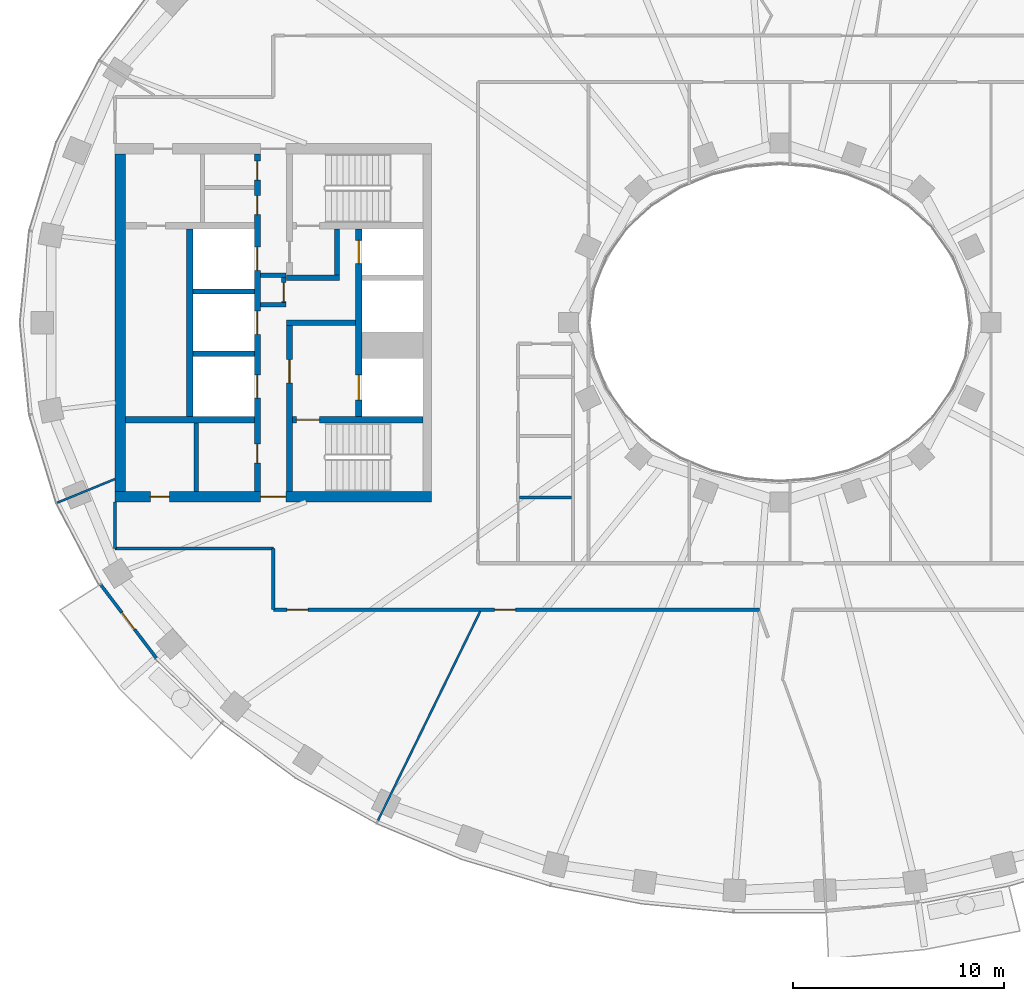
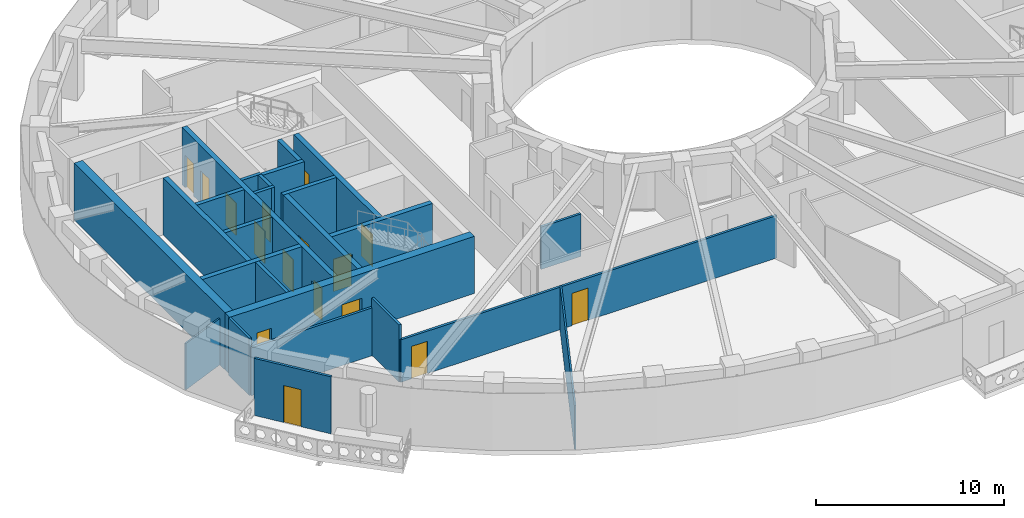
# One storey, part 3 of 16: 25 walls, 16 doors, 16 openings.
"""IFC4 building model written with IfcOpenShell, lengths in metres."""

from ifc_helpers import new_model, si_unit, direction, frame, frame_2d, origin, place, context, subcontext, project, spatial, rectangle, extrude, material, layer, layer_set, type_object, element, fill, save


model = new_model("IFC4")

# Units and contexts
model_context = context("Model", 3, precision=1e-05, world=origin(), true_north=direction((0.0, 1.0)))
body_context = subcontext(model_context, "Body", "Model", "MODEL_VIEW")
ifc_project = project(units=[si_unit("LENGTHUNIT", "METRE"), si_unit("AREAUNIT", "SQUARE_METRE"), si_unit("VOLUMEUNIT", "CUBIC_METRE"), si_unit("PLANEANGLEUNIT", "RADIAN"), si_unit("MASSUNIT", "GRAM", prefix="KILO")], contexts=[model_context])

# Site, building, storey
site_placement = place(None, origin())
site = spatial("IfcSite", under=ifc_project, at=site_placement, CompositionType="ELEMENT")
building_placement = place(site_placement, origin())
building = spatial("IfcBuilding", under=site, at=building_placement, Name="Noorbagh Ring Tower", CompositionType="ELEMENT")
storey_placement = place(building_placement, frame((0.0, 0.0, 281.5)))
storey = spatial("IfcBuildingStorey", under=building, at=storey_placement, Name="L60", CompositionType="ELEMENT", Elevation=281.5)

# Walls
ifc_material_1 = material(Name="Gypsum board on steel studs", Category="steel")
ifc_layer_1 = layer(ifc_material_1, 0.199951171875)
ifc_layer_set_1 = layer_set([ifc_layer_1], Name="Gypsum board on steel studs")
wall_type_1 = type_object("IfcWallType", Name="CORE-PARTITION-200", PredefinedType="PARTITIONING", material=ifc_layer_set_1)
for number, where, z_axis, x_axis, name in (
    (1, (-23.39990234375, 0.85009765625, 0.0), (0.0, 0.0, 1.0), (-1.0, 0.0, 0.0), "Core partition W"),
    (2, (-23.39990234375, 2.25, 0.0), (0.0, 0.0, 1.0), (-1.0, 0.0, 0.0), "Core partition W"),
):
    element("IfcWall", number, at=place(storey_placement, frame(where, z_axis=z_axis, x_axis=x_axis)), inside=storey, type_object=wall_type_1, Name=name, PredefinedType="PARTITIONING", context=body_context, shape_type="SweptSolid", body=[
        extrude(rectangle(XDim=1.2001953125, YDim=0.199951171875, at=frame_2d((0.60009765625, 0.0))), origin(), (0.0, 0.0, 1.0), 3.699951171875),
    ])

# Wall, opening, door
wall_1_placement = place(storey_placement, frame((-23.5, 0.75, 0.0), z_axis=(0.0, 0.0, 1.0), x_axis=(0.0, 1.0, 0.0)))
wall_1 = element("IfcWall", 3, at=wall_1_placement, inside=storey, type_object=wall_type_1, Name="Core partition W", PredefinedType="PARTITIONING", context=body_context, shape_type="SweptSolid", body=[
    extrude(rectangle(XDim=1.60009765625, YDim=0.199951171875, at=frame_2d((0.800048828125, 0.0))), origin(), (0.0, 0.0, 1.0), 3.699951171875),
])
opening_1_placement = place(wall_1_placement, frame((0.25, 0.0, 0.0)))
opening_1 = element("IfcOpeningElement", 4, at=opening_1_placement, cuts=wall_1, Name="Opening L60-CW17", PredefinedType="OPENING", context=body_context, shape_type="SweptSolid", body=[
    extrude(rectangle(XDim=0.89990234375, YDim=2.10009765625, at=frame_2d((0.449951171875, 1.050048828125))), frame((0.0, 0.10986328125, 0.0), z_axis=(0.0, -1.0, 0.0), x_axis=(1.0, 0.0, 0.0)), (0.0, 0.0, 1.0), 0.219970703125),
])
ifc_material_2 = material(Name="Steel door leaf", Category="steel")
door_type_1 = type_object("IfcDoorType", Name="CORE-DOOR-DROOM", OperationType="SINGLE_SWING_LEFT", PredefinedType="DOOR", material=ifc_material_2)
door_1_placement = place(opening_1_placement, origin())
door_1 = element("IfcDoor", 5, at=door_1_placement, inside=storey, type_object=door_type_1, Name="Core room door L60-CW17", OperationType="SINGLE_SWING_RIGHT", OverallHeight=2.10009765625, OverallWidth=0.89990234375, PredefinedType="DOOR", context=body_context, shape_type="SweptSolid", body=[
    extrude(rectangle(XDim=0.89990234375, YDim=2.10009765625, at=frame_2d((0.449951171875, 1.050048828125))), frame((0.0, 0.02490234375, 0.0), z_axis=(0.0, -1.0, 0.0), x_axis=(1.0, 0.0, 0.0)), (0.0, 0.0, 1.0), 0.050048828125),
])
fill(opening_1, door_1)

# Walls
wall_2_placement = place(storey_placement, frame((-27.64990234375, -8.0, 0.0), z_axis=(0.0, 0.0, 1.0), x_axis=(0.0, 1.0, 0.0)))
element("IfcWall", 6, at=wall_2_placement, inside=storey, type_object=wall_type_1, Name="Core partition W", PredefinedType="PARTITIONING", context=body_context, shape_type="SweptSolid", body=[
    extrude(rectangle(XDim=3.25, YDim=0.199951171875, at=frame_2d((1.625, 0.0))), origin(), (0.0, 0.0, 1.0), 3.699951171875),
])
ifc_material_3 = material(Name="Concrete C60/75", Category="concrete")
ifc_layer_2 = layer(ifc_material_3, 0.25)
ifc_layer_set_2 = layer_set([ifc_layer_2], Name="Concrete C60/75")
wall_type_2 = type_object("IfcWallType", Name="CORE-WALL-250-C60-75-EI120", PredefinedType="SHEAR", material=ifc_layer_set_2)
for number, where, z_axis, x_axis, name in (
    (7, (-24.89990234375, -1.47509765625, 0.0), (0.0, 0.0, 1.0), (-1.0, 0.0, 0.0), "Core wall W"),
    (8, (-24.89990234375, 1.47509765625, 0.0), (0.0, 0.0, 1.0), (-1.0, 0.0, 0.0), "Core wall W"),
):
    element("IfcWall", number, at=place(storey_placement, frame(where, z_axis=z_axis, x_axis=x_axis)), inside=storey, type_object=wall_type_2, Name=name, PredefinedType="SHEAR", context=body_context, shape_type="SweptSolid", body=[
        extrude(rectangle(XDim=2.900146484375, YDim=0.25, at=frame_2d((1.4501953125, 0.0))), origin(), (0.0, 0.0, 1.0), 3.699951171875),
    ])
ifc_material_4 = material(Name="Concrete C60/75", Category="concrete")
ifc_layer_3 = layer(ifc_material_4, 0.25)
ifc_layer_set_3 = layer_set([ifc_layer_3], Name="Concrete C60/75")
wall_type_3 = type_object("IfcWallType", Name="CORE-WALL-250-C60-75-EI240", PredefinedType="SHEAR", material=ifc_layer_set_3)
wall_3_placement = place(storey_placement, frame((-20.10009765625, 0.0, 0.0), z_axis=(0.0, 0.0, 1.0), x_axis=(-1.0, 0.0, 0.0)))
element("IfcWall", 9, at=wall_3_placement, inside=storey, type_object=wall_type_3, Name="Core wall W", PredefinedType="SHEAR", context=body_context, shape_type="SweptSolid", body=[
    extrude(rectangle(XDim=3.27978515625, YDim=0.25, at=frame_2d((1.639892578125, 0.0))), origin(), (0.0, 0.0, 1.0), 3.699951171875),
])
wall_4_placement = place(storey_placement, frame((-20.85009765625, 2.125, 0.0), z_axis=(0.0, 0.0, 1.0), x_axis=(-1.0, 0.0, 0.0)))
element("IfcWall", 10, at=wall_4_placement, inside=storey, type_object=wall_type_3, Name="Core wall W", PredefinedType="SHEAR", context=body_context, shape_type="SweptSolid", body=[
    extrude(rectangle(XDim=2.52978515625, YDim=0.25, at=frame_2d((1.264892578125, 0.0))), origin(), (0.0, 0.0, 1.0), 3.699951171875),
])
wall_5_placement = place(storey_placement, frame((-20.97509765625, 2.25, 0.0), z_axis=(0.0, 0.0, 1.0), x_axis=(0.0, 1.0, 0.0)))
element("IfcWall", 11, at=wall_5_placement, inside=storey, type_object=wall_type_3, Name="Core wall W", PredefinedType="SHEAR", context=body_context, shape_type="SweptSolid", body=[
    extrude(rectangle(XDim=2.199951171875, YDim=0.25, at=frame_2d((1.10009765625, 0.0))), origin(), (0.0, 0.0, 1.0), 3.699951171875),
])
ifc_material_5 = material(Name="Concrete C60/75", Category="concrete")
ifc_layer_4 = layer(ifc_material_5, 0.300048828125)
ifc_layer_set_4 = layer_set([ifc_layer_4], Name="Concrete C60/75")
wall_type_4 = type_object("IfcWallType", Name="CORE-WALL-300-C60-75-EI120", PredefinedType="SHEAR", material=ifc_layer_set_4)
wall_6_placement = place(storey_placement, frame((-27.949951171875, -4.449951171875, 0.0), z_axis=(0.0, 0.0, 1.0), x_axis=(0.0, 1.0, 0.0)))
element("IfcWall", 12, at=wall_6_placement, inside=storey, type_object=wall_type_4, Name="Core wall W", PredefinedType="SHEAR", context=body_context, shape_type="SweptSolid", body=[
    extrude(rectangle(XDim=8.89990234375, YDim=0.300048828125, at=frame_2d((4.449951171875, 0.0))), origin(), (0.0, 0.0, 1.0), 3.699951171875),
])

# Wall, openings, doors
wall_7_placement = place(storey_placement, frame((-19.949951171875, -4.449951171875, 0.0), z_axis=(0.0, 0.0, 1.0), x_axis=(0.0, 1.0, 0.0)))
wall_7 = element("IfcWall", 13, at=wall_7_placement, inside=storey, type_object=wall_type_4, Name="Core wall W", PredefinedType="SHEAR", context=body_context, shape_type="SweptSolid", body=[
    extrude(rectangle(XDim=8.89990234375, YDim=0.300048828125, at=frame_2d((4.449951171875, 0.0))), origin(), (0.0, 0.0, 1.0), 3.699951171875),
])
opening_2_placement = place(wall_7_placement, frame((0.77490234375, 0.0, 0.0)))
opening_2 = element("IfcOpeningElement", 14, at=opening_2_placement, cuts=wall_7, Name="Opening L60-CW01", PredefinedType="OPENING", context=body_context, shape_type="SweptSolid", body=[
    extrude(rectangle(XDim=1.199951171875, YDim=2.10009765625, at=frame_2d((0.60009765625, 1.050048828125))), frame((0.0, 0.16015625, 0.0), z_axis=(0.0, -1.0, 0.0), x_axis=(1.0, 0.0, 0.0)), (0.0, 0.0, 1.0), 0.320068359375),
])
opening_3_placement = place(wall_7_placement, frame((7.25, 0.0, 0.0)))
opening_3 = element("IfcOpeningElement", 15, at=opening_3_placement, cuts=wall_7, Name="Opening L60-CW02", PredefinedType="OPENING", context=body_context, shape_type="SweptSolid", body=[
    extrude(rectangle(XDim=1.10009765625, YDim=2.10009765625, at=frame_2d((0.550048828125, 1.050048828125))), frame((0.0, 0.16015625, 0.0), z_axis=(0.0, -1.0, 0.0), x_axis=(1.0, 0.0, 0.0)), (0.0, 0.0, 1.0), 0.320068359375),
])
ifc_material_6 = material(Name="Steel door leaf", Category="steel")
door_type_2 = type_object("IfcDoorType", Name="CORE-DOOR-LD", OperationType="DOUBLE_DOOR_SLIDING", PredefinedType="DOOR", material=ifc_material_6)
door_2_placement = place(opening_3_placement, origin())
door_2 = element("IfcDoor", 16, at=door_2_placement, inside=storey, type_object=door_type_2, Name="Landing door HR1 L60-CW02", OperationType="DOUBLE_DOOR_SLIDING", OverallHeight=2.10009765625, OverallWidth=1.10009765625, PredefinedType="DOOR", context=body_context, shape_type="SweptSolid", body=[
    extrude(rectangle(XDim=1.10009765625, YDim=2.10009765625, at=frame_2d((0.550048828125, 1.050048828125))), frame((0.0, 0.02490234375, 0.0), z_axis=(0.0, -1.0, 0.0), x_axis=(1.0, 0.0, 0.0)), (0.0, 0.0, 1.0), 0.050048828125),
])
fill(opening_3, door_2)
ifc_material_7 = material(Name="Steel door leaf", Category="steel")
door_type_3 = type_object("IfcDoorType", Name="CORE-DOOR-LDW", OperationType="DOUBLE_DOOR_SLIDING", PredefinedType="DOOR", material=ifc_material_7)
door_3_placement = place(opening_2_placement, origin())
door_3 = element("IfcDoor", 17, at=door_3_placement, inside=storey, type_object=door_type_3, Name="Landing door FF1 L60-CW01", OperationType="DOUBLE_DOOR_SLIDING", OverallHeight=2.10009765625, OverallWidth=1.199951171875, PredefinedType="DOOR", context=body_context, shape_type="SweptSolid", body=[
    extrude(rectangle(XDim=1.199951171875, YDim=2.10009765625, at=frame_2d((0.60009765625, 1.050048828125))), frame((0.0, 0.02490234375, 0.0), z_axis=(0.0, -1.0, 0.0), x_axis=(1.0, 0.0, 0.0)), (0.0, 0.0, 1.0), 0.050048828125),
])
fill(opening_2, door_3)

wall_8_placement = place(storey_placement, frame((-24.75, -8.0, 0.0), z_axis=(0.0, 0.0, 1.0), x_axis=(0.0, 1.0, 0.0)))
wall_8 = element("IfcWall", 18, at=wall_8_placement, inside=storey, type_object=wall_type_4, Name="Core wall W", PredefinedType="SHEAR", context=body_context, shape_type="SweptSolid", body=[
    extrude(rectangle(XDim=16.0, YDim=0.300048828125, at=frame_2d((8.0, 0.0))), origin(), (0.0, 0.0, 1.0), 3.699951171875),
])
opening_4_placement = place(wall_8_placement, frame((4.425048828125, 0.0, 0.0)))
opening_4 = element("IfcOpeningElement", 19, at=opening_4_placement, cuts=wall_8, Name="Opening L60-CW03", PredefinedType="OPENING", context=body_context, shape_type="SweptSolid", body=[
    extrude(rectangle(XDim=1.10009765625, YDim=2.10009765625, at=frame_2d((0.550048828125, 1.050048828125))), frame((0.0, 0.16015625, 0.0), z_axis=(0.0, -1.0, 0.0), x_axis=(1.0, 0.0, 0.0)), (0.0, 0.0, 1.0), 0.320068359375),
])
opening_5_placement = place(wall_8_placement, frame((7.449951171875, 0.0, 0.0)))
opening_5 = element("IfcOpeningElement", 20, at=opening_5_placement, cuts=wall_8, Name="Opening L60-CW04", PredefinedType="OPENING", context=body_context, shape_type="SweptSolid", body=[
    extrude(rectangle(XDim=1.10009765625, YDim=2.10009765625, at=frame_2d((0.550048828125, 1.050048828125))), frame((0.0, 0.16015625, 0.0), z_axis=(0.0, -1.0, 0.0), x_axis=(1.0, 0.0, 0.0)), (0.0, 0.0, 1.0), 0.320068359375),
])
opening_6_placement = place(wall_8_placement, frame((10.47509765625, 0.0, 0.0)))
opening_6 = element("IfcOpeningElement", 21, at=opening_6_placement, cuts=wall_8, Name="Opening L60-CW05", PredefinedType="OPENING", context=body_context, shape_type="SweptSolid", body=[
    extrude(rectangle(XDim=1.10009765625, YDim=2.10009765625, at=frame_2d((0.550048828125, 1.050048828125))), frame((0.0, 0.16015625, 0.0), z_axis=(0.0, -1.0, 0.0), x_axis=(1.0, 0.0, 0.0)), (0.0, 0.0, 1.0), 0.320068359375),
])
opening_7_placement = place(wall_8_placement, frame((13.125, 0.0, 0.0)))
opening_7 = element("IfcOpeningElement", 22, at=opening_7_placement, cuts=wall_8, Name="Opening L60-CW12", PredefinedType="OPENING", context=body_context, shape_type="SweptSolid", body=[
    extrude(rectangle(XDim=0.89990234375, YDim=2.10009765625, at=frame_2d((0.449951171875, 1.050048828125))), frame((0.0, 0.16015625, 0.0), z_axis=(0.0, -1.0, 0.0), x_axis=(1.0, 0.0, 0.0)), (0.0, 0.0, 1.0), 0.320068359375),
])
opening_8_placement = place(wall_8_placement, frame((14.75, 0.0, 0.0)))
opening_8 = element("IfcOpeningElement", 23, at=opening_8_placement, cuts=wall_8, Name="Opening L60-CW13", PredefinedType="OPENING", context=body_context, shape_type="SweptSolid", body=[
    extrude(rectangle(XDim=0.89990234375, YDim=2.10009765625, at=frame_2d((0.449951171875, 1.050048828125))), frame((0.0, 0.16015625, 0.0), z_axis=(0.0, -1.0, 0.0), x_axis=(1.0, 0.0, 0.0)), (0.0, 0.0, 1.0), 0.320068359375),
])
opening_9_placement = place(wall_8_placement, frame((1.35009765625, 0.0, 0.0)))
opening_9 = element("IfcOpeningElement", 24, at=opening_9_placement, cuts=wall_8, Name="Opening L60-CW15", PredefinedType="OPENING", context=body_context, shape_type="SweptSolid", body=[
    extrude(rectangle(XDim=0.89990234375, YDim=2.10009765625, at=frame_2d((0.449951171875, 1.050048828125))), frame((0.0, 0.16015625, 0.0), z_axis=(0.0, -1.0, 0.0), x_axis=(1.0, 0.0, 0.0)), (0.0, 0.0, 1.0), 0.320068359375),
])
door_4_placement = place(opening_7_placement, origin())
door_4 = element("IfcDoor", 25, at=door_4_placement, inside=storey, type_object=door_type_1, Name="Core room door L60-CW12", OperationType="SINGLE_SWING_LEFT", OverallHeight=2.10009765625, OverallWidth=0.89990234375, PredefinedType="DOOR", context=body_context, shape_type="SweptSolid", body=[
    extrude(rectangle(XDim=0.89990234375, YDim=2.10009765625, at=frame_2d((0.449951171875, 1.050048828125))), frame((0.0, 0.02490234375, 0.0), z_axis=(0.0, -1.0, 0.0), x_axis=(1.0, 0.0, 0.0)), (0.0, 0.0, 1.0), 0.050048828125),
])
fill(opening_7, door_4)
door_5_placement = place(opening_8_placement, origin())
door_5 = element("IfcDoor", 26, at=door_5_placement, inside=storey, type_object=door_type_1, Name="Core room door L60-CW13", OperationType="SINGLE_SWING_RIGHT", OverallHeight=2.10009765625, OverallWidth=0.89990234375, PredefinedType="DOOR", context=body_context, shape_type="SweptSolid", body=[
    extrude(rectangle(XDim=0.89990234375, YDim=2.10009765625, at=frame_2d((0.449951171875, 1.050048828125))), frame((0.0, 0.02490234375, 0.0), z_axis=(0.0, -1.0, 0.0), x_axis=(1.0, 0.0, 0.0)), (0.0, 0.0, 1.0), 0.050048828125),
])
fill(opening_8, door_5)
door_6_placement = place(opening_9_placement, origin())
door_6 = element("IfcDoor", 27, at=door_6_placement, inside=storey, type_object=door_type_1, Name="Core room door L60-CW15", OperationType="SINGLE_SWING_LEFT", OverallHeight=2.10009765625, OverallWidth=0.89990234375, PredefinedType="DOOR", context=body_context, shape_type="SweptSolid", body=[
    extrude(rectangle(XDim=0.89990234375, YDim=2.10009765625, at=frame_2d((0.449951171875, 1.050048828125))), frame((0.0, 0.02490234375, 0.0), z_axis=(0.0, -1.0, 0.0), x_axis=(1.0, 0.0, 0.0)), (0.0, 0.0, 1.0), 0.050048828125),
])
fill(opening_9, door_6)
door_7_placement = place(opening_4_placement, origin())
door_7 = element("IfcDoor", 28, at=door_7_placement, inside=storey, type_object=door_type_2, Name="Landing door HR2 L60-CW03", OperationType="DOUBLE_DOOR_SLIDING", OverallHeight=2.10009765625, OverallWidth=1.10009765625, PredefinedType="DOOR", context=body_context, shape_type="SweptSolid", body=[
    extrude(rectangle(XDim=1.10009765625, YDim=2.10009765625, at=frame_2d((0.550048828125, 1.050048828125))), frame((0.0, 0.02490234375, 0.0), z_axis=(0.0, -1.0, 0.0), x_axis=(1.0, 0.0, 0.0)), (0.0, 0.0, 1.0), 0.050048828125),
])
fill(opening_4, door_7)
door_8_placement = place(opening_5_placement, origin())
door_8 = element("IfcDoor", 29, at=door_8_placement, inside=storey, type_object=door_type_2, Name="Landing door HR3 L60-CW04", OperationType="DOUBLE_DOOR_SLIDING", OverallHeight=2.10009765625, OverallWidth=1.10009765625, PredefinedType="DOOR", context=body_context, shape_type="SweptSolid", body=[
    extrude(rectangle(XDim=1.10009765625, YDim=2.10009765625, at=frame_2d((0.550048828125, 1.050048828125))), frame((0.0, 0.02490234375, 0.0), z_axis=(0.0, -1.0, 0.0), x_axis=(1.0, 0.0, 0.0)), (0.0, 0.0, 1.0), 0.050048828125),
])
fill(opening_5, door_8)
door_9_placement = place(opening_6_placement, origin())
door_9 = element("IfcDoor", 30, at=door_9_placement, inside=storey, type_object=door_type_2, Name="Landing door HR4 L60-CW05", OperationType="DOUBLE_DOOR_SLIDING", OverallHeight=2.10009765625, OverallWidth=1.10009765625, PredefinedType="DOOR", context=body_context, shape_type="SweptSolid", body=[
    extrude(rectangle(XDim=1.10009765625, YDim=2.10009765625, at=frame_2d((0.550048828125, 1.050048828125))), frame((0.0, 0.02490234375, 0.0), z_axis=(0.0, -1.0, 0.0), x_axis=(1.0, 0.0, 0.0)), (0.0, 0.0, 1.0), 0.050048828125),
])
fill(opening_6, door_9)

# Wall
ifc_material_8 = material(Name="Concrete C60/75", Category="concrete")
ifc_layer_5 = layer(ifc_material_8, 0.300048828125)
ifc_layer_set_5 = layer_set([ifc_layer_5], Name="Concrete C60/75")
wall_type_5 = type_object("IfcWallType", Name="CORE-WALL-300-C60-75-EI240", PredefinedType="SHEAR", material=ifc_layer_set_5)
wall_9_placement = place(storey_placement, frame((-24.89990234375, -4.60009765625, 0.0), z_axis=(0.0, 0.0, 1.0), x_axis=(-1.0, 0.0, 0.0)))
element("IfcWall", 31, at=wall_9_placement, inside=storey, type_object=wall_type_5, Name="Core wall W", PredefinedType="SHEAR", context=body_context, shape_type="SweptSolid", body=[
    extrude(rectangle(XDim=6.10009765625, YDim=0.300048828125, at=frame_2d((3.050048828125, 0.0))), origin(), (0.0, 0.0, 1.0), 3.699951171875),
])

# Wall, opening, door
wall_10_placement = place(storey_placement, frame((-23.22998046875, -8.0, 0.0), z_axis=(0.0, 0.0, 1.0), x_axis=(0.0, 1.0, 0.0)))
wall_10 = element("IfcWall", 32, at=wall_10_placement, inside=storey, type_object=wall_type_5, Name="Core wall W", PredefinedType="SHEAR", context=body_context, shape_type="SweptSolid", body=[
    extrude(rectangle(XDim=7.875, YDim=0.300048828125, at=frame_2d((3.9375, 0.0))), origin(), (0.0, 0.0, 1.0), 3.699951171875),
])
opening_10_placement = place(wall_10_placement, frame((5.14990234375, 0.0, 0.0)))
opening_10 = element("IfcOpeningElement", 33, at=opening_10_placement, cuts=wall_10, Name="Opening L60-CW08", PredefinedType="OPENING", context=body_context, shape_type="SweptSolid", body=[
    extrude(rectangle(XDim=1.10009765625, YDim=2.10009765625, at=frame_2d((0.550048828125, 1.050048828125))), frame((0.0, 0.16015625, 0.0), z_axis=(0.0, -1.0, 0.0), x_axis=(1.0, 0.0, 0.0)), (0.0, 0.0, 1.0), 0.320068359375),
])
ifc_material_9 = material(Name="Steel door leaf", Category="steel")
door_type_4 = type_object("IfcDoorType", Name="CORE-DOOR-DFF", OperationType="SINGLE_SWING_LEFT", PredefinedType="DOOR", material=ifc_material_9)
door_10_placement = place(opening_10_placement, origin())
door_10 = element("IfcDoor", 34, at=door_10_placement, inside=storey, type_object=door_type_4, Name="Firefighting lobby door L60-CW08", OperationType="SINGLE_SWING_LEFT", OverallHeight=2.10009765625, OverallWidth=1.10009765625, PredefinedType="DOOR", context=body_context, shape_type="SweptSolid", body=[
    extrude(rectangle(XDim=1.10009765625, YDim=2.10009765625, at=frame_2d((0.550048828125, 1.050048828125))), frame((0.0, 0.02490234375, 0.0), z_axis=(0.0, -1.0, 0.0), x_axis=(1.0, 0.0, 0.0)), (0.0, 0.0, 1.0), 0.050048828125),
])
fill(opening_10, door_10)

wall_11_placement = place(storey_placement, frame((-16.89990234375, -4.60009765625, 0.0), z_axis=(0.0, 0.0, 1.0), x_axis=(-1.0, 0.0, 0.0)))
wall_11 = element("IfcWall", 35, at=wall_11_placement, inside=storey, type_object=wall_type_5, Name="Core wall W", PredefinedType="SHEAR", context=body_context, shape_type="SweptSolid", body=[
    extrude(rectangle(XDim=6.18017578125, YDim=0.300048828125, at=frame_2d((3.090087890625, 0.0))), origin(), (0.0, 0.0, 1.0), 3.699951171875),
])
opening_11_placement = place(wall_11_placement, frame((4.89990234375, 0.0, 0.0)))
opening_11 = element("IfcOpeningElement", 36, at=opening_11_placement, cuts=wall_11, Name="Opening L60-CW07", PredefinedType="OPENING", context=body_context, shape_type="SweptSolid", body=[
    extrude(rectangle(XDim=1.10009765625, YDim=2.10009765625, at=frame_2d((0.550048828125, 1.050048828125))), frame((0.0, 0.16015625, 0.0), z_axis=(0.0, -1.0, 0.0), x_axis=(1.0, 0.0, 0.0)), (0.0, 0.0, 1.0), 0.320068359375),
])
ifc_material_10 = material(Name="Steel door leaf", Category="steel")
door_type_5 = type_object("IfcDoorType", Name="CORE-DOOR-DSTAIR", OperationType="SINGLE_SWING_LEFT", PredefinedType="DOOR", material=ifc_material_10)
door_11_placement = place(opening_11_placement, origin())
door_11 = element("IfcDoor", 37, at=door_11_placement, inside=storey, type_object=door_type_5, Name="Stair door ST2 L60-CW07", OperationType="SINGLE_SWING_LEFT", OverallHeight=2.10009765625, OverallWidth=1.10009765625, PredefinedType="DOOR", context=body_context, shape_type="SweptSolid", body=[
    extrude(rectangle(XDim=1.10009765625, YDim=2.10009765625, at=frame_2d((0.550048828125, 1.050048828125))), frame((0.0, 0.02490234375, 0.0), z_axis=(0.0, -1.0, 0.0), x_axis=(1.0, 0.0, 0.0)), (0.0, 0.0, 1.0), 0.050048828125),
])
fill(opening_11, door_11)

# Wall, openings, doors
ifc_material_11 = material(Name="Concrete C60/75", Category="concrete")
ifc_layer_6 = layer(ifc_material_11, 0.5)
ifc_layer_set_6 = layer_set([ifc_layer_6], Name="Concrete C60/75")
wall_type_6 = type_object("IfcWallType", Name="CORE-WALL-500-C60-75-EI240", PredefinedType="SHEAR", material=ifc_layer_set_6)
wall_12_placement = place(storey_placement, frame((-16.5, -8.25, 0.0), z_axis=(0.0, 0.0, 1.0), x_axis=(-1.0, 0.0, 0.0)))
wall_12 = element("IfcWall", 38, at=wall_12_placement, inside=storey, type_object=wall_type_6, Name="Core wall W", PredefinedType="SHEAR", context=body_context, shape_type="SweptSolid", body=[
    extrude(rectangle(XDim=15.0, YDim=0.5, at=frame_2d((7.5, 0.0))), origin(), (0.0, 0.0, 1.0), 3.699951171875),
])
opening_12_placement = place(wall_12_placement, frame((6.89990234375, 0.0, 0.0)))
opening_12 = element("IfcOpeningElement", 39, at=opening_12_placement, cuts=wall_12, Name="Opening L60-CW11", PredefinedType="OPENING", context=body_context, shape_type="SweptSolid", body=[
    extrude(rectangle(XDim=1.199951171875, YDim=2.10009765625, at=frame_2d((0.60009765625, 1.050048828125))), frame((0.0, 0.260009765625, 0.0), z_axis=(0.0, -1.0, 0.0), x_axis=(1.0, 0.0, 0.0)), (0.0, 0.0, 1.0), 0.52001953125),
])
opening_13_placement = place(wall_12_placement, frame((12.425048828125, 0.0, 0.0)))
opening_13 = element("IfcOpeningElement", 40, at=opening_13_placement, cuts=wall_12, Name="Opening L60-CW16", PredefinedType="OPENING", context=body_context, shape_type="SweptSolid", body=[
    extrude(rectangle(XDim=0.89990234375, YDim=2.10009765625, at=frame_2d((0.449951171875, 1.050048828125))), frame((0.0, 0.260009765625, 0.0), z_axis=(0.0, -1.0, 0.0), x_axis=(1.0, 0.0, 0.0)), (0.0, 0.0, 1.0), 0.52001953125),
])
door_12_placement = place(opening_13_placement, origin())
door_12 = element("IfcDoor", 41, at=door_12_placement, inside=storey, type_object=door_type_1, Name="Core room door L60-CW16", OperationType="SINGLE_SWING_LEFT", OverallHeight=2.10009765625, OverallWidth=0.89990234375, PredefinedType="DOOR", context=body_context, shape_type="SweptSolid", body=[
    extrude(rectangle(XDim=0.89990234375, YDim=2.10009765625, at=frame_2d((0.449951171875, 1.050048828125))), frame((0.0, 0.02490234375, 0.0), z_axis=(0.0, -1.0, 0.0), x_axis=(1.0, 0.0, 0.0)), (0.0, 0.0, 1.0), 0.050048828125),
])
fill(opening_13, door_12)
ifc_material_12 = material(Name="Steel door leaf", Category="steel")
door_type_6 = type_object("IfcDoorType", Name="CORE-DOOR-PORT", OperationType="DOUBLE_DOOR_DOUBLE_SWING", PredefinedType="DOOR", material=ifc_material_12)
door_13_placement = place(opening_12_placement, origin())
door_13 = element("IfcDoor", 42, at=door_13_placement, inside=storey, type_object=door_type_6, Name="Core entrance door L60-CW11", OperationType="DOUBLE_DOOR_DOUBLE_SWING", OverallHeight=2.10009765625, OverallWidth=1.199951171875, PredefinedType="DOOR", context=body_context, shape_type="SweptSolid", body=[
    extrude(rectangle(XDim=1.199951171875, YDim=2.10009765625, at=frame_2d((0.60009765625, 1.050048828125))), frame((0.0, 0.02490234375, 0.0), z_axis=(0.0, -1.0, 0.0), x_axis=(1.0, 0.0, 0.0)), (0.0, 0.0, 1.0), 0.050048828125),
])
fill(opening_12, door_13)

# Walls
wall_13_placement = place(storey_placement, frame((-31.25, -8.0, 0.0), z_axis=(0.0, 0.0, 1.0), x_axis=(0.0, 1.0, 0.0)))
element("IfcWall", 43, at=wall_13_placement, inside=storey, type_object=wall_type_6, Name="Core wall W", PredefinedType="SHEAR", context=body_context, shape_type="SweptSolid", body=[
    extrude(rectangle(XDim=16.0, YDim=0.5, at=frame_2d((8.0, 0.0))), origin(), (0.0, 0.0, 1.0), 3.699951171875),
])
ifc_material_13 = material(Name="Gypsum board on steel studs", Category="steel")
ifc_layer_7 = layer(ifc_material_13, 0.14990234375)
ifc_layer_set_7 = layer_set([ifc_layer_7], Name="Gypsum board on steel studs")
wall_type_7 = type_object("IfcWallType", Name="CORRIDOR PARTITION 150 EI 30", PredefinedType="PARTITIONING", material=ifc_layer_set_7)
wall_14_placement = place(storey_placement, frame((-31.5, -10.699951171875, 0.0), z_axis=(0.0, 0.0, 1.0), x_axis=(0.0, 1.0, 0.0)))
element("IfcWall", 44, at=wall_14_placement, inside=storey, type_object=wall_type_7, Name="L60/wall/P03", PredefinedType="PARTITIONING", context=body_context, shape_type="SweptSolid", body=[
    extrude(rectangle(XDim=2.199951171875, YDim=0.14990234375, at=frame_2d((1.10009765625, 0.0))), origin(), (0.0, 0.0, 1.0), 3.699951171875),
])
wall_15_placement = place(storey_placement, frame((-31.5, -10.699951171875, 0.0), z_axis=(0.0, 0.0, 1.0), x_axis=(1.0, 0.0, 0.0)))
element("IfcWall", 45, at=wall_15_placement, inside=storey, type_object=wall_type_7, Name="L60/wall/P04", PredefinedType="PARTITIONING", context=body_context, shape_type="SweptSolid", body=[
    extrude(rectangle(XDim=7.5, YDim=0.14990234375, at=frame_2d((3.75, 0.0))), origin(), (0.0, 0.0, 1.0), 3.10009765625),
])
wall_16_placement = place(storey_placement, frame((-24.0, -13.60009765625, 0.0), z_axis=(0.0, 0.0, 1.0), x_axis=(0.0, 1.0, 0.0)))
element("IfcWall", 46, at=wall_16_placement, inside=storey, type_object=wall_type_7, Name="L60/wall/P07", PredefinedType="PARTITIONING", context=body_context, shape_type="SweptSolid", body=[
    extrude(rectangle(XDim=2.900146484375, YDim=0.14990234375, at=frame_2d((1.4501953125, 0.0))), origin(), (0.0, 0.0, 1.0), 3.699951171875),
])

# Wall, openings, doors
wall_17_placement = place(storey_placement, frame((-24.0, -13.60009765625, 0.0), z_axis=(0.0, 0.0, 1.0), x_axis=(1.0, 0.0, 0.0)))
wall_17 = element("IfcWall", 47, at=wall_17_placement, inside=storey, type_object=wall_type_7, Name="L60/wall/P08", PredefinedType="PARTITIONING", context=body_context, shape_type="SweptSolid", body=[
    extrude(rectangle(XDim=23.050048828125, YDim=0.14990234375, at=frame_2d((11.52490234375, 0.0))), origin(), (0.0, 0.0, 1.0), 2.75),
])
opening_14_placement = place(wall_17_placement, frame((0.64990234375, 0.0, 0.0)))
opening_14 = element("IfcOpeningElement", 48, at=opening_14_placement, cuts=wall_17, Name="Opening D1", PredefinedType="OPENING", context=body_context, shape_type="SweptSolid", body=[
    extrude(rectangle(XDim=1.0, YDim=2.10009765625, at=frame_2d((0.5, 1.050048828125))), frame((0.0, 0.0849609375, 0.0), z_axis=(0.0, -1.0, 0.0), x_axis=(1.0, 0.0, 0.0)), (0.0, 0.0, 1.0), 0.169921875),
])
opening_15_placement = place(wall_17_placement, frame((10.486083984375, 0.0, 0.0)))
opening_15 = element("IfcOpeningElement", 49, at=opening_15_placement, cuts=wall_17, Name="Opening D1", PredefinedType="OPENING", context=body_context, shape_type="SweptSolid", body=[
    extrude(rectangle(XDim=1.0, YDim=2.10009765625, at=frame_2d((0.5, 1.050048828125))), frame((0.0, 0.0849609375, 0.0), z_axis=(0.0, -1.0, 0.0), x_axis=(1.0, 0.0, 0.0)), (0.0, 0.0, 1.0), 0.169921875),
])
ifc_material_14 = material(Name="Timber, painted", Category="wood")
door_type_7 = type_object("IfcDoorType", Name="DOOR 1000 X 2100 FD30", OperationType="SINGLE_SWING_LEFT", PredefinedType="DOOR", material=ifc_material_14)
door_14_placement = place(opening_14_placement, origin())
door_14 = element("IfcDoor", 50, at=door_14_placement, inside=storey, type_object=door_type_7, Name="L60-D07", OperationType="SINGLE_SWING_LEFT", OverallHeight=2.10009765625, OverallWidth=1.0, PredefinedType="DOOR", context=body_context, shape_type="SweptSolid", body=[
    extrude(rectangle(XDim=1.0, YDim=2.10009765625, at=frame_2d((0.5, 1.050048828125))), frame((0.0, 0.02490234375, 0.0), z_axis=(0.0, -1.0, 0.0), x_axis=(1.0, 0.0, 0.0)), (0.0, 0.0, 1.0), 0.050048828125),
])
fill(opening_14, door_14)
door_15_placement = place(opening_15_placement, origin())
door_15 = element("IfcDoor", 51, at=door_15_placement, inside=storey, type_object=door_type_7, Name="L60-D09", OperationType="SINGLE_SWING_LEFT", OverallHeight=2.10009765625, OverallWidth=1.0, PredefinedType="DOOR", context=body_context, shape_type="SweptSolid", body=[
    extrude(rectangle(XDim=1.0, YDim=2.10009765625, at=frame_2d((0.5, 1.050048828125))), frame((0.0, 0.02490234375, 0.0), z_axis=(0.0, -1.0, 0.0), x_axis=(1.0, 0.0, 0.0)), (0.0, 0.0, 1.0), 0.050048828125),
])
fill(opening_15, door_15)

# Wall
wall_18_placement = place(storey_placement, frame((-12.324951171875, -8.280029296875, 0.0), z_axis=(0.0, 0.0, 1.0), x_axis=(1.0, 0.0, 0.0)))
element("IfcWall", 52, at=wall_18_placement, inside=storey, type_object=wall_type_7, Name="L60/wall/P17", PredefinedType="PARTITIONING", context=body_context, shape_type="SweptSolid", body=[
    extrude(rectangle(XDim=2.449951171875, YDim=0.14990234375, at=frame_2d((1.22509765625, 0.0))), origin(), (0.0, 0.0, 1.0), 2.75),
])

# Wall, opening, door
ifc_material_15 = material(Name="Insulated aluminium clad panel", Category="aluminium")
ifc_layer_8 = layer(ifc_material_15, 0.14990234375)
ifc_layer_set_8 = layer_set([ifc_layer_8], Name="Insulated aluminium clad panel")
wall_type_8 = type_object("IfcWallType", Name="ENV-WALL-DOOR", PredefinedType="STANDARD", material=ifc_layer_set_8)
wall_19_placement = place(storey_placement, frame((-32.20751953125, -12.37353515625, 0.0), z_axis=(0.0, 0.0, 1.0), x_axis=(0.604045763106, -0.796949632081, 0.0)))
wall_19 = element("IfcWall", 53, at=wall_19_placement, inside=storey, type_object=wall_type_8, Name="Balcony door wall chord 27", PredefinedType="STANDARD", context=body_context, shape_type="SweptSolid", body=[
    extrude(rectangle(XDim=4.42333984375, YDim=0.14990234375, at=frame_2d((2.211669921875, 0.0))), origin(), (0.0, 0.0, 1.0), 3.699951171875),
])
opening_16_placement = place(wall_19_placement, frame((1.711669921875, 0.0, 0.0)))
opening_16 = element("IfcOpeningElement", 54, at=opening_16_placement, cuts=wall_19, Name="Opening D-BL", PredefinedType="OPENING", context=body_context, shape_type="SweptSolid", body=[
    extrude(rectangle(XDim=1.0, YDim=2.39990234375, at=frame_2d((0.5, 1.199951171875))), frame((0.0, 0.0849609375, 0.0), z_axis=(0.0, -1.0, 0.0), x_axis=(1.0, 0.0, 0.0)), (0.0, 0.0, 1.0), 0.169921875),
])
ifc_material_16 = material(Name="Aluminium and glass", Category="aluminium")
door_type_8 = type_object("IfcDoorType", Name="ENV-DOOR-BALCONY", OperationType="SINGLE_SWING_LEFT", PredefinedType="DOOR", material=ifc_material_16)
door_16_placement = place(opening_16_placement, origin())
door_16 = element("IfcDoor", 55, at=door_16_placement, inside=storey, type_object=door_type_8, Name="Balcony door chord 27", OperationType="SINGLE_SWING_LEFT", OverallHeight=2.39990234375, OverallWidth=1.0, PredefinedType="DOOR", context=body_context, shape_type="SweptSolid", body=[
    extrude(rectangle(XDim=1.0, YDim=2.39990234375, at=frame_2d((0.5, 1.199951171875))), frame((0.0, 0.02490234375, 0.0), z_axis=(0.0, -1.0, 0.0), x_axis=(1.0, 0.0, 0.0)), (0.0, 0.0, 1.0), 0.050048828125),
])
fill(opening_16, door_16)

# Walls
ifc_material_17 = material(Name="Gypsum board on steel studs", Category="steel")
ifc_layer_9 = layer(ifc_material_17, 0.10009765625)
ifc_layer_set_9 = layer_set([ifc_layer_9], Name="Gypsum board on steel studs")
wall_type_9 = type_object("IfcWallType", Name="PARTITION 100 GYPSUM", PredefinedType="PARTITIONING", material=ifc_layer_set_9)
wall_20_placement = place(storey_placement, frame((-34.23388671875, -8.530029296875, 0.0), z_axis=(0.0, 0.0, 1.0), x_axis=(0.925344112436, 0.379128307542, 0.0)))
element("IfcWall", 56, at=wall_20_placement, inside=storey, type_object=wall_type_9, Name="L60/wall/P01", PredefinedType="PARTITIONING", context=body_context, shape_type="SweptSolid", body=[
    extrude(rectangle(XDim=2.954345703125, YDim=0.10009765625, at=frame_2d((1.47705078125, 0.0))), origin(), (0.0, 0.0, 1.0), 3.0),
])
wall_21_placement = place(storey_placement, frame((-19.0859375, -23.68505859375, 0.0), z_axis=(0.0, 0.0, 1.0), x_axis=(0.439228995151, 0.898375138691, 0.0)))
element("IfcWall", 57, at=wall_21_placement, inside=storey, type_object=wall_type_9, Name="L60/wall/P11", PredefinedType="PARTITIONING", context=body_context, shape_type="SweptSolid", body=[
    extrude(rectangle(XDim=11.142333984375, YDim=0.10009765625, at=frame_2d((5.5712890625, 0.0))), origin(), (0.0, 0.0, 1.0), 2.85009765625),
])

save(model, "model.ifc")
